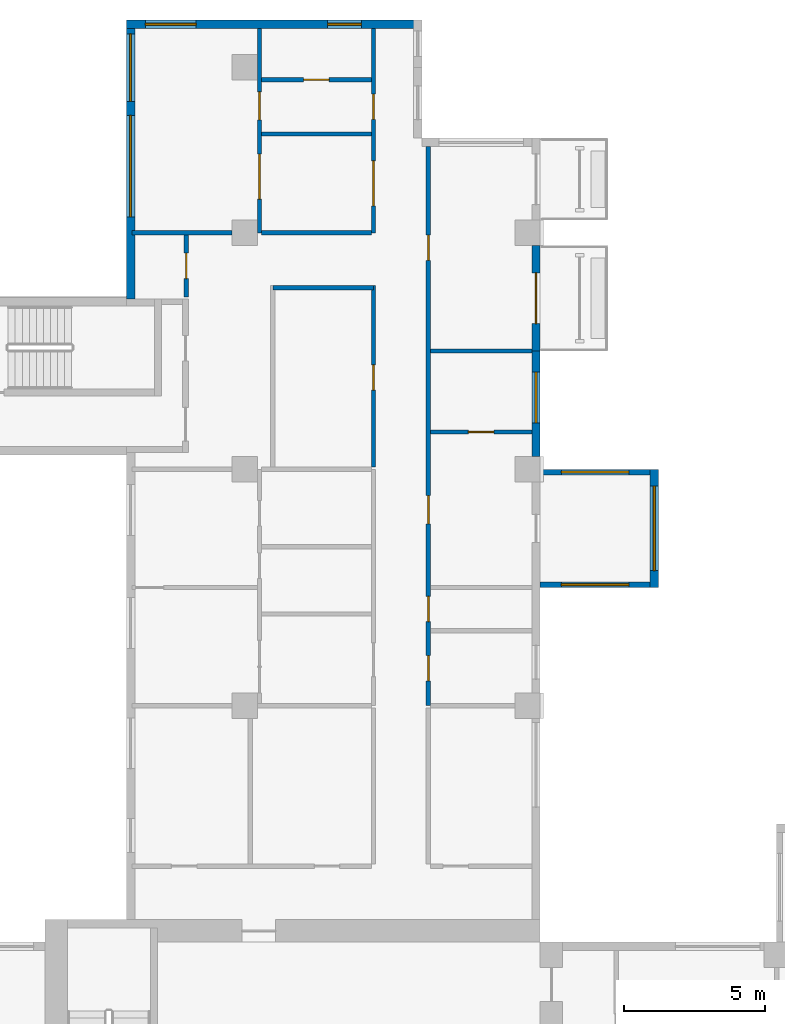
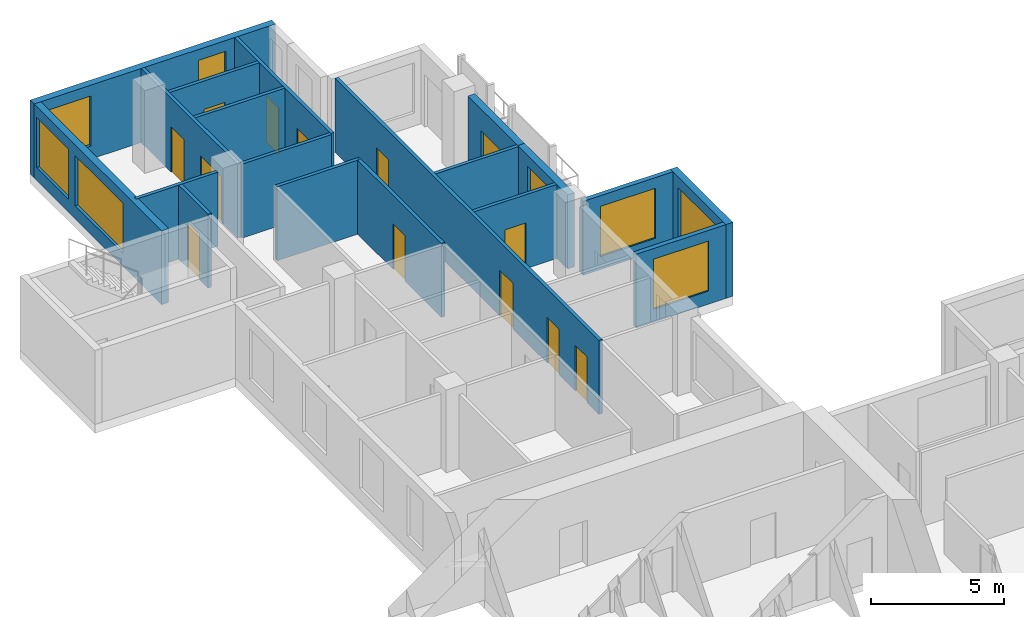
# One storey, part 9 of 15: 19 walls, 13 doors, 8 windows, 21 openings.
"""IFC4 building model written with IfcOpenShell, lengths in metres."""

from ifc_helpers import new_model, si_unit, direction, frame, frame_2d, origin, place, context, subcontext, project, spatial, rectangle, extrude, source, transform, mapped, material, layer, layer_set, type_object, element, fill, save


model = new_model("IFC4")

# Units and contexts
model_context = context("Model", 3, precision=1e-05, world=origin(), true_north=direction((0.0, 1.0)))
body_context = subcontext(model_context, "Body", "Model", "MODEL_VIEW")
ifc_project = project(units=[si_unit("LENGTHUNIT", "METRE"), si_unit("AREAUNIT", "SQUARE_METRE"), si_unit("VOLUMEUNIT", "CUBIC_METRE"), si_unit("PLANEANGLEUNIT", "RADIAN"), si_unit("MASSUNIT", "GRAM", prefix="KILO")], contexts=[model_context])

# Site, building, storey
site_placement = place(None, origin())
site = spatial("IfcSite", under=ifc_project, at=site_placement, CompositionType="ELEMENT")
building_placement = place(site_placement, origin())
building = spatial("IfcBuilding", under=site, at=building_placement, Name="Aurelian Terraces", CompositionType="ELEMENT")
storey_placement = place(building_placement, frame((0.0, 0.0, 177.8)))
storey = spatial("IfcBuildingStorey", under=building, at=storey_placement, Name="L38", CompositionType="ELEMENT", Elevation=177.8)

# Wall, opening, window
ifc_material_1 = material(Name="Terracotta rainscreen cladding", Category="masonry")
ifc_layer_1 = layer(ifc_material_1, 0.3)
ifc_layer_set_1 = layer_set([ifc_layer_1], Name="EW-300")
wall_type_1 = type_object("IfcWallType", Name="EW-300", PredefinedType="STANDARD", material=ifc_layer_set_1)
wall_1_placement = place(storey_placement, frame((20.85, 38.25, 0.0), z_axis=(0.0, 0.0, 1.0), x_axis=(0.0, 1.0, 0.0)))
wall_1 = element("IfcWall", 1, at=wall_1_placement, inside=storey, type_object=wall_type_1, Name="External wall L38 F08.20", PredefinedType="STANDARD", context=body_context, shape_type="SweptSolid", body=[
    extrude(rectangle(XDim=3.75, YDim=0.3, at=frame_2d((1.875, 0.0))), origin(), (0.0, 0.0, 1.0), 3.4),
])
shared_shape_1 = source(origin(), body_context, "Body", "SweptSolid", [
    extrude(rectangle(XDim=1.8, YDim=2.3, at=frame_2d((0.9, 1.15))), frame((0.0, 0.16, 0.0), z_axis=(0.0, -1.0, 0.0), x_axis=(1.0, 0.0, 0.0)), (0.0, 0.0, 1.0), 0.32),
])
opening_1_placement = place(wall_1_placement, frame((1.2, 0.0, 0.6)))
opening_1 = element("IfcOpeningElement", 2, at=opening_1_placement, cuts=wall_1, Name="Opening W1823", PredefinedType="OPENING", context=body_context, shape_type="MappedRepresentation", body=[
    mapped(shared_shape_1, transform((0.0, 0.0, 0.0), scale=1.0)),
])
ifc_material_2 = material(Name="Clear glazing", Category="glass")
window_type_1 = type_object("IfcWindowType", Name="W-1800x2300", PartitioningType="SINGLE_PANEL", PredefinedType="WINDOW", material=ifc_material_2)
shared_shape_2 = source(origin(), body_context, "Body", "SweptSolid", [
    extrude(rectangle(XDim=1.8, YDim=2.3, at=frame_2d((0.9, 1.15))), frame((0.0, 0.03, 0.0), z_axis=(0.0, -1.0, 0.0), x_axis=(1.0, 0.0, 0.0)), (0.0, 0.0, 1.0), 0.06),
])
window_1_placement = place(opening_1_placement, origin())
window_1 = element("IfcWindow", 3, at=window_1_placement, inside=storey, type_object=window_type_1, Name="Window L38 L38-F08-20-0", OverallHeight=2.3, OverallWidth=1.8, PartitioningType="SINGLE_PANEL", PredefinedType="WINDOW", context=body_context, shape_type="MappedRepresentation", body=[
    mapped(shared_shape_2, transform((0.0, 0.0, 0.0), scale=1.0)),
])
fill(opening_1, window_1)

# Wall, openings, windows
wall_2_placement = place(storey_placement, frame((16.8, 53.61, 0.0), z_axis=(0.0, 0.0, 1.0), x_axis=(-1.0, 0.0, 0.0)))
wall_2 = element("IfcWall", 4, at=wall_2_placement, inside=storey, type_object=wall_type_1, Name="External wall L38 F11.26", PredefinedType="STANDARD", context=body_context, shape_type="SweptSolid", body=[
    extrude(rectangle(XDim=10.5, YDim=0.3, at=frame_2d((5.25, 0.0))), origin(), (0.0, 0.0, 1.0), 3.4),
])
shared_shape_3 = source(origin(), body_context, "Body", "SweptSolid", [
    extrude(rectangle(XDim=1.2, YDim=2.3, at=frame_2d((0.6, 1.15))), frame((0.0, 0.16, 0.0), z_axis=(0.0, -1.0, 0.0), x_axis=(1.0, 0.0, 0.0)), (0.0, 0.0, 1.0), 0.32),
])
opening_2_placement = place(wall_2_placement, frame((2.15, 0.0, 0.6)))
opening_2 = element("IfcOpeningElement", 5, at=opening_2_placement, cuts=wall_2, Name="Opening W1223", PredefinedType="OPENING", context=body_context, shape_type="MappedRepresentation", body=[
    mapped(shared_shape_3, transform((0.0, 0.0, 0.0), scale=1.0)),
])
opening_3_placement = place(wall_2_placement, frame((8.025, 0.0, 0.6)))
opening_3 = element("IfcOpeningElement", 6, at=opening_3_placement, cuts=wall_2, Name="Opening W1823", PredefinedType="OPENING", context=body_context, shape_type="MappedRepresentation", body=[
    mapped(shared_shape_1, transform((0.0, 0.0, 0.0), scale=1.0)),
])
window_type_2 = type_object("IfcWindowType", Name="W-1200x2300", PartitioningType="SINGLE_PANEL", PredefinedType="WINDOW", material=ifc_material_2)
shared_shape_4 = source(origin(), body_context, "Body", "SweptSolid", [
    extrude(rectangle(XDim=1.2, YDim=2.3, at=frame_2d((0.6, 1.15))), frame((0.0, 0.03, 0.0), z_axis=(0.0, -1.0, 0.0), x_axis=(1.0, 0.0, 0.0)), (0.0, 0.0, 1.0), 0.06),
])
window_2_placement = place(opening_2_placement, origin())
window_2 = element("IfcWindow", 7, at=window_2_placement, inside=storey, type_object=window_type_2, Name="Window L38 L38-F11-26-0", OverallHeight=2.3, OverallWidth=1.2, PartitioningType="SINGLE_PANEL", PredefinedType="WINDOW", context=body_context, shape_type="MappedRepresentation", body=[
    mapped(shared_shape_4, transform((0.0, 0.0, 0.0), scale=1.0)),
])
fill(opening_2, window_2)
window_3_placement = place(opening_3_placement, origin())
window_3 = element("IfcWindow", 8, at=window_3_placement, inside=storey, type_object=window_type_1, Name="Window L38 L38-F11-26-2", OverallHeight=2.3, OverallWidth=1.8, PartitioningType="SINGLE_PANEL", PredefinedType="WINDOW", context=body_context, shape_type="MappedRepresentation", body=[
    mapped(shared_shape_2, transform((0.0, 0.0, 0.0), scale=1.0)),
])
fill(opening_3, window_3)

wall_3_placement = place(storey_placement, frame((6.45, 53.76, 0.0), z_axis=(0.0, 0.0, 1.0), x_axis=(0.0, -1.0, 0.0)))
wall_3 = element("IfcWall", 9, at=wall_3_placement, inside=storey, type_object=wall_type_1, Name="External wall L38 F12.27", PredefinedType="STANDARD", context=body_context, shape_type="SweptSolid", body=[
    extrude(rectangle(XDim=9.91, YDim=0.3, at=frame_2d((4.955, 0.0))), origin(), (0.0, 0.0, 1.0), 3.4),
])
shared_shape_5 = source(origin(), body_context, "Body", "SweptSolid", [
    extrude(rectangle(XDim=3.6, YDim=2.3, at=frame_2d((1.8, 1.15))), frame((0.0, 0.16, 0.0), z_axis=(0.0, -1.0, 0.0), x_axis=(1.0, 0.0, 0.0)), (0.0, 0.0, 1.0), 0.32),
])
opening_4_placement = place(wall_3_placement, frame((3.39, 0.0, 0.6)))
opening_4 = element("IfcOpeningElement", 10, at=opening_4_placement, cuts=wall_3, Name="Opening W3623", PredefinedType="OPENING", context=body_context, shape_type="MappedRepresentation", body=[
    mapped(shared_shape_5, transform((0.0, 0.0, 0.0), scale=1.0)),
])
shared_shape_6 = source(origin(), body_context, "Body", "SweptSolid", [
    extrude(rectangle(XDim=2.4, YDim=2.3, at=frame_2d((1.2, 1.15))), frame((0.0, 0.16, 0.0), z_axis=(0.0, -1.0, 0.0), x_axis=(1.0, 0.0, 0.0)), (0.0, 0.0, 1.0), 0.32),
])
opening_5_placement = place(wall_3_placement, frame((0.495, 0.0, 0.6)))
opening_5 = element("IfcOpeningElement", 11, at=opening_5_placement, cuts=wall_3, Name="Opening W2423", PredefinedType="OPENING", context=body_context, shape_type="MappedRepresentation", body=[
    mapped(shared_shape_6, transform((0.0, 0.0, 0.0), scale=1.0)),
])
window_type_3 = type_object("IfcWindowType", Name="W-3600x2300", PartitioningType="SINGLE_PANEL", PredefinedType="WINDOW", material=ifc_material_2)
shared_shape_7 = source(origin(), body_context, "Body", "SweptSolid", [
    extrude(rectangle(XDim=3.6, YDim=2.3, at=frame_2d((1.8, 1.15))), frame((0.0, 0.03, 0.0), z_axis=(0.0, -1.0, 0.0), x_axis=(1.0, 0.0, 0.0)), (0.0, 0.0, 1.0), 0.06),
])
window_4_placement = place(opening_4_placement, origin())
window_4 = element("IfcWindow", 12, at=window_4_placement, inside=storey, type_object=window_type_3, Name="Window L38 L38-F12-27-1", OverallHeight=2.3, OverallWidth=3.6, PartitioningType="SINGLE_PANEL", PredefinedType="WINDOW", context=body_context, shape_type="MappedRepresentation", body=[
    mapped(shared_shape_7, transform((0.0, 0.0, 0.0), scale=1.0)),
])
fill(opening_4, window_4)
window_type_4 = type_object("IfcWindowType", Name="W-2400x2300", PartitioningType="SINGLE_PANEL", PredefinedType="WINDOW", material=ifc_material_2)
shared_shape_8 = source(origin(), body_context, "Body", "SweptSolid", [
    extrude(rectangle(XDim=2.4, YDim=2.3, at=frame_2d((1.2, 1.15))), frame((0.0, 0.03, 0.0), z_axis=(0.0, -1.0, 0.0), x_axis=(1.0, 0.0, 0.0)), (0.0, 0.0, 1.0), 0.06),
])
window_5_placement = place(opening_5_placement, origin())
window_5 = element("IfcWindow", 13, at=window_5_placement, inside=storey, type_object=window_type_4, Name="Window L38 L38-F12-27-G0-0", OverallHeight=2.3, OverallWidth=2.4, PartitioningType="SINGLE_PANEL", PredefinedType="WINDOW", context=body_context, shape_type="MappedRepresentation", body=[
    mapped(shared_shape_8, transform((0.0, 0.0, 0.0), scale=1.0)),
])
fill(opening_5, window_5)

# Wall, openings, doors
ifc_material_3 = material(Name="Gypsum board on steel studs", Category="steel")
ifc_layer_2 = layer(ifc_material_3, 0.15)
ifc_layer_set_2 = layer_set([ifc_layer_2], Name="Fire partition 150")
wall_type_2 = type_object("IfcWallType", Name="Fire partition 150", PredefinedType="PARTITIONING", material=ifc_layer_set_2)
wall_4_placement = place(storey_placement, frame((17.025, 49.26, 0.0), z_axis=(0.0, 0.0, 1.0), x_axis=(0.0, -1.0, 0.0)))
wall_4 = element("IfcWall", 14, at=wall_4_placement, inside=storey, type_object=wall_type_2, Name="Corridor wall", PredefinedType="PARTITIONING", context=body_context, shape_type="SweptSolid", body=[
    extrude(rectangle(XDim=19.86, YDim=0.15, at=frame_2d((9.93, 0.0))), origin(), (0.0, 0.0, 1.0), 3.4),
])
shared_shape_9 = source(origin(), body_context, "Body", "SweptSolid", [
    extrude(rectangle(XDim=0.9, YDim=2.1, at=frame_2d((0.45, 1.05))), frame((0.0, 0.085, 0.0), z_axis=(0.0, -1.0, 0.0), x_axis=(1.0, 0.0, 0.0)), (0.0, 0.0, 1.0), 0.17),
])
opening_6_placement = place(wall_4_placement, frame((18.0765, 0.0, 0.0)))
opening_6 = element("IfcOpeningElement", 15, at=opening_6_placement, cuts=wall_4, Name="Opening 738037", PredefinedType="OPENING", context=body_context, shape_type="MappedRepresentation", body=[
    mapped(shared_shape_9, transform((0.0, 0.0, 0.0), scale=1.0)),
])
opening_7_placement = place(wall_4_placement, frame((15.9765, 0.0, 0.0)))
opening_7 = element("IfcOpeningElement", 16, at=opening_7_placement, cuts=wall_4, Name="Opening 738038", PredefinedType="OPENING", context=body_context, shape_type="MappedRepresentation", body=[
    mapped(shared_shape_9, transform((0.0, 0.0, 0.0), scale=1.0)),
])
shared_shape_10 = source(origin(), body_context, "Body", "SweptSolid", [
    extrude(rectangle(XDim=1.0, YDim=2.1, at=frame_2d((0.5, 1.05))), frame((0.0, 0.085, 0.0), z_axis=(0.0, -1.0, 0.0), x_axis=(1.0, 0.0, 0.0)), (0.0, 0.0, 1.0), 0.17),
])
opening_8_placement = place(wall_4_placement, frame((12.3975, 0.0, 0.0)))
opening_8 = element("IfcOpeningElement", 17, at=opening_8_placement, cuts=wall_4, Name="Opening 738039", PredefinedType="OPENING", context=body_context, shape_type="MappedRepresentation", body=[
    mapped(shared_shape_10, transform((0.0, 0.0, 0.0), scale=1.0)),
])
opening_9_placement = place(wall_4_placement, frame((3.1425, 0.0, 0.0)))
opening_9 = element("IfcOpeningElement", 18, at=opening_9_placement, cuts=wall_4, Name="Opening 738041", PredefinedType="OPENING", context=body_context, shape_type="MappedRepresentation", body=[
    mapped(shared_shape_9, transform((0.0, 0.0, 0.0), scale=1.0)),
])
ifc_material_4 = material(Name="Steel door leaf", Category="steel")
door_type_1 = type_object("IfcDoorType", Name="Entrance fire door 1000x2100 left", OperationType="SINGLE_SWING_LEFT", PredefinedType="DOOR", material=ifc_material_4)
shared_shape_11 = source(origin(), body_context, "Body", "SweptSolid", [
    extrude(rectangle(XDim=1.0, YDim=2.1, at=frame_2d((0.5, 1.05))), frame((0.0, 0.025, 0.0), z_axis=(0.0, -1.0, 0.0), x_axis=(1.0, 0.0, 0.0)), (0.0, 0.0, 1.0), 0.05),
])
door_1_placement = place(opening_8_placement, origin())
door_1 = element("IfcDoor", 19, at=door_1_placement, inside=storey, type_object=door_type_1, Name="Door 738039", OperationType="SINGLE_SWING_LEFT", OverallHeight=2.1, OverallWidth=1.0, PredefinedType="DOOR", context=body_context, shape_type="MappedRepresentation", body=[
    mapped(shared_shape_11, transform((0.0, 0.0, 0.0), scale=1.0)),
])
fill(opening_8, door_1)
door_type_2 = type_object("IfcDoorType", Name="Entrance fire door 900x2100 left", OperationType="SINGLE_SWING_LEFT", PredefinedType="DOOR", material=ifc_material_4)
shared_shape_12 = source(origin(), body_context, "Body", "SweptSolid", [
    extrude(rectangle(XDim=0.9, YDim=2.1, at=frame_2d((0.45, 1.05))), frame((0.0, 0.025, 0.0), z_axis=(0.0, -1.0, 0.0), x_axis=(1.0, 0.0, 0.0)), (0.0, 0.0, 1.0), 0.05),
])
door_2_placement = place(opening_6_placement, origin())
door_2 = element("IfcDoor", 20, at=door_2_placement, inside=storey, type_object=door_type_2, Name="Door 738037", OperationType="SINGLE_SWING_LEFT", OverallHeight=2.1, OverallWidth=0.9, PredefinedType="DOOR", context=body_context, shape_type="MappedRepresentation", body=[
    mapped(shared_shape_12, transform((0.0, 0.0, 0.0), scale=1.0)),
])
fill(opening_6, door_2)
door_type_3 = type_object("IfcDoorType", Name="Entrance fire door 900x2100 right", OperationType="SINGLE_SWING_RIGHT", PredefinedType="DOOR", material=ifc_material_4)
door_3_placement = place(opening_7_placement, origin())
door_3 = element("IfcDoor", 21, at=door_3_placement, inside=storey, type_object=door_type_3, Name="Door 738038", OperationType="SINGLE_SWING_RIGHT", OverallHeight=2.1, OverallWidth=0.9, PredefinedType="DOOR", context=body_context, shape_type="MappedRepresentation", body=[
    mapped(shared_shape_12, transform((0.0, 0.0, 0.0), scale=1.0)),
])
fill(opening_7, door_3)
door_4_placement = place(opening_9_placement, origin())
door_4 = element("IfcDoor", 22, at=door_4_placement, inside=storey, type_object=door_type_2, Name="Door 738041", OperationType="SINGLE_SWING_LEFT", OverallHeight=2.1, OverallWidth=0.9, PredefinedType="DOOR", context=body_context, shape_type="MappedRepresentation", body=[
    mapped(shared_shape_12, transform((0.0, 0.0, 0.0), scale=1.0)),
])
fill(opening_9, door_4)

# Wall
ifc_layer_3 = layer(ifc_material_3, 0.15)
ifc_layer_set_3 = layer_set([ifc_layer_3], Name="Partition 150")
wall_type_3 = type_object("IfcWallType", Name="Partition 150", PredefinedType="PARTITIONING", material=ifc_layer_set_3)
wall_5_placement = place(storey_placement, frame((15.075, 44.25, 0.0), z_axis=(0.0, 0.0, 1.0), x_axis=(-1.0, 0.0, 0.0)))
element("IfcWall", 23, at=wall_5_placement, inside=storey, type_object=wall_type_3, Name="Partition", PredefinedType="PARTITIONING", context=body_context, shape_type="SweptSolid", body=[
    extrude(rectangle(XDim=3.575, YDim=0.15, at=frame_2d((1.7875, 0.0))), origin(), (0.0, 0.0, 1.0), 3.4),
])

# Wall, openings, doors
wall_6_placement = place(storey_placement, frame((11.025, 46.2, 0.0), z_axis=(0.0, 0.0, 1.0), x_axis=(0.0, 1.0, 0.0)))
wall_6 = element("IfcWall", 24, at=wall_6_placement, inside=storey, type_object=wall_type_3, Name="Partition", PredefinedType="PARTITIONING", context=body_context, shape_type="SweptSolid", body=[
    extrude(rectangle(XDim=7.26, YDim=0.15, at=frame_2d((3.63, 0.0))), origin(), (0.0, 0.0, 1.0), 3.4),
])
shared_shape_13 = source(origin(), body_context, "Body", "SweptSolid", [
    extrude(rectangle(XDim=1.6, YDim=2.1, at=frame_2d((0.8, 1.05))), frame((0.0, 0.085, 0.0), z_axis=(0.0, -1.0, 0.0), x_axis=(1.0, 0.0, 0.0)), (0.0, 0.0, 1.0), 0.17),
])
opening_10_placement = place(wall_6_placement, frame((1.1939, 0.0, 0.0)))
opening_10 = element("IfcOpeningElement", 25, at=opening_10_placement, cuts=wall_6, Name="Opening 738034", PredefinedType="OPENING", context=body_context, shape_type="MappedRepresentation", body=[
    mapped(shared_shape_13, transform((0.0, 0.0, 0.0), scale=1.0)),
])
opening_11_placement = place(wall_6_placement, frame((4.0089, 0.0, 0.0)))
opening_11 = element("IfcOpeningElement", 26, at=opening_11_placement, cuts=wall_6, Name="Opening 738035", PredefinedType="OPENING", context=body_context, shape_type="MappedRepresentation", body=[
    mapped(shared_shape_10, transform((0.0, 0.0, 0.0), scale=1.0)),
])
ifc_material_5 = material(Name="Timber door leaf", Category="wood")
door_type_4 = type_object("IfcDoorType", Name="Room door 1000x2100 left", OperationType="SINGLE_SWING_LEFT", PredefinedType="DOOR", material=ifc_material_5)
door_5_placement = place(opening_11_placement, origin())
door_5 = element("IfcDoor", 27, at=door_5_placement, inside=storey, type_object=door_type_4, Name="Door 738035", OperationType="SINGLE_SWING_LEFT", OverallHeight=2.1, OverallWidth=1.0, PredefinedType="DOOR", context=body_context, shape_type="MappedRepresentation", body=[
    mapped(shared_shape_11, transform((0.0, 0.0, 0.0), scale=1.0)),
])
fill(opening_11, door_5)
door_type_5 = type_object("IfcDoorType", Name="Room door 1600x2100 right", OperationType="SINGLE_SWING_RIGHT", PredefinedType="DOOR", material=ifc_material_5)
shared_shape_14 = source(origin(), body_context, "Body", "SweptSolid", [
    extrude(rectangle(XDim=1.6, YDim=2.1, at=frame_2d((0.8, 1.05))), frame((0.0, 0.025, 0.0), z_axis=(0.0, -1.0, 0.0), x_axis=(1.0, 0.0, 0.0)), (0.0, 0.0, 1.0), 0.05),
])
door_6_placement = place(opening_10_placement, origin())
door_6 = element("IfcDoor", 28, at=door_6_placement, inside=storey, type_object=door_type_5, Name="Door 738034", OperationType="SINGLE_SWING_RIGHT", OverallHeight=2.1, OverallWidth=1.6, PredefinedType="DOOR", context=body_context, shape_type="MappedRepresentation", body=[
    mapped(shared_shape_14, transform((0.0, 0.0, 0.0), scale=1.0)),
])
fill(opening_10, door_6)

# Wall, opening, door
shared_shape_15 = source(origin(), body_context, "Body", "SweptSolid", [
    extrude(rectangle(XDim=3.75, YDim=0.3, at=frame_2d((1.875, 0.0))), origin(), (0.0, 0.0, 1.0), 3.4),
])
wall_7_placement = place(storey_placement, frame((20.85, 42.0, 0.0), z_axis=(0.0, 0.0, 1.0), x_axis=(0.0, 1.0, 0.0)))
wall_7 = element("IfcWall", 29, at=wall_7_placement, inside=storey, type_object=wall_type_1, Name="External wall L38 F08.21", PredefinedType="STANDARD", context=body_context, shape_type="MappedRepresentation", body=[
    mapped(shared_shape_15, transform((0.0, 0.0, 0.0), scale=1.0)),
])
shared_shape_16 = source(origin(), body_context, "Body", "SweptSolid", [
    extrude(rectangle(XDim=1.8, YDim=2.4, at=frame_2d((0.9, 1.2))), frame((0.0, 0.16, 0.0), z_axis=(0.0, -1.0, 0.0), x_axis=(1.0, 0.0, 0.0)), (0.0, 0.0, 1.0), 0.32),
])
opening_12_placement = place(wall_7_placement, frame((0.975, 0.0, 0.0)))
opening_12 = element("IfcOpeningElement", 30, at=opening_12_placement, cuts=wall_7, Name="Opening 83810", PredefinedType="OPENING", context=body_context, shape_type="MappedRepresentation", body=[
    mapped(shared_shape_16, transform((0.0, 0.0, 0.0), scale=1.0)),
])
door_type_6 = type_object("IfcDoorType", Name="BD-1800x2400", OperationType="SLIDING_TO_LEFT", PredefinedType="DOOR", material=ifc_material_2)
shared_shape_17 = source(origin(), body_context, "Body", "SweptSolid", [
    extrude(rectangle(XDim=1.8, YDim=2.4, at=frame_2d((0.9, 1.2))), frame((0.0, 0.025, 0.0), z_axis=(0.0, -1.0, 0.0), x_axis=(1.0, 0.0, 0.0)), (0.0, 0.0, 1.0), 0.05),
])
door_7_placement = place(opening_12_placement, origin())
door_7 = element("IfcDoor", 31, at=door_7_placement, inside=storey, type_object=door_type_6, Name="Balcony door L38 F08.21", OperationType="SLIDING_TO_LEFT", OverallHeight=2.4, OverallWidth=1.8, PredefinedType="DOOR", context=body_context, shape_type="MappedRepresentation", body=[
    mapped(shared_shape_17, transform((0.0, 0.0, 0.0), scale=1.0)),
])
fill(opening_12, door_7)

# Wall, opening, window
ifc_material_6 = material(Name="Concrete fc' 40 MPa", Category="concrete")
ifc_layer_4 = layer(ifc_material_6, 0.2)
ifc_layer_set_4 = layer_set([ifc_layer_4], Name="BOX BEARING WALL 200")
wall_type_4 = type_object("IfcWallType", Name="BOX BEARING WALL 200", PredefinedType="SOLIDWALL", material=ifc_layer_set_4)
shared_shape_18 = source(origin(), body_context, "Body", "SweptSolid", [
    extrude(rectangle(XDim=3.9, YDim=0.2, at=frame_2d((1.95, 0.0))), origin(), (0.0, 0.0, 1.0), 3.39),
])
wall_8_placement = place(storey_placement, frame((21.0, 33.7, 0.0), z_axis=(0.0, 0.0, 1.0), x_axis=(1.0, 0.0, 0.0)))
wall_8 = element("IfcWall", 32, at=wall_8_placement, inside=storey, type_object=wall_type_4, Name="Box return L38 J53.1", PredefinedType="SOLIDWALL", context=body_context, shape_type="MappedRepresentation", body=[
    mapped(shared_shape_18, transform((0.0, 0.0, 0.0), scale=1.0)),
])
shared_shape_19 = source(origin(), body_context, "Body", "SweptSolid", [
    extrude(rectangle(XDim=2.4, YDim=2.3, at=frame_2d((1.2, 1.15))), frame((0.0, 0.11, 0.0), z_axis=(0.0, -1.0, 0.0), x_axis=(1.0, 0.0, 0.0)), (0.0, 0.0, 1.0), 0.22),
])
opening_13_placement = place(wall_8_placement, frame((0.75, 0.0, 0.6)))
opening_13 = element("IfcOpeningElement", 33, at=opening_13_placement, cuts=wall_8, Name="Opening W2423", PredefinedType="OPENING", context=body_context, shape_type="MappedRepresentation", body=[
    mapped(shared_shape_19, transform((0.0, 0.0, 0.0), scale=1.0)),
])
window_6_placement = place(opening_13_placement, origin())
window_6 = element("IfcWindow", 34, at=window_6_placement, inside=storey, type_object=window_type_4, Name="Window L38 J53-S1", OverallHeight=2.3, OverallWidth=2.4, PartitioningType="SINGLE_PANEL", PredefinedType="WINDOW", context=body_context, shape_type="MappedRepresentation", body=[
    mapped(shared_shape_8, transform((0.0, 0.0, 0.0), scale=1.0)),
])
fill(opening_13, window_6)

wall_9_placement = place(storey_placement, frame((21.0, 37.7, 0.0), z_axis=(0.0, 0.0, 1.0), x_axis=(1.0, 0.0, 0.0)))
wall_9 = element("IfcWall", 35, at=wall_9_placement, inside=storey, type_object=wall_type_4, Name="Box return L38 J53.2", PredefinedType="SOLIDWALL", context=body_context, shape_type="MappedRepresentation", body=[
    mapped(shared_shape_18, transform((0.0, 0.0, 0.0), scale=1.0)),
])
opening_14_placement = place(wall_9_placement, frame((0.75, 0.0, 0.6)))
opening_14 = element("IfcOpeningElement", 36, at=opening_14_placement, cuts=wall_9, Name="Opening W2423", PredefinedType="OPENING", context=body_context, shape_type="MappedRepresentation", body=[
    mapped(shared_shape_19, transform((0.0, 0.0, 0.0), scale=1.0)),
])
window_7_placement = place(opening_14_placement, origin())
window_7 = element("IfcWindow", 37, at=window_7_placement, inside=storey, type_object=window_type_4, Name="Window L38 J53-S2", OverallHeight=2.3, OverallWidth=2.4, PartitioningType="SINGLE_PANEL", PredefinedType="WINDOW", context=body_context, shape_type="MappedRepresentation", body=[
    mapped(shared_shape_8, transform((0.0, 0.0, 0.0), scale=1.0)),
])
fill(opening_14, window_7)

ifc_layer_5 = layer(ifc_material_6, 0.3)
ifc_layer_set_5 = layer_set([ifc_layer_5], Name="BOX BEARING WALL 300")
wall_type_5 = type_object("IfcWallType", Name="BOX BEARING WALL 300", PredefinedType="SOLIDWALL", material=ifc_layer_set_5)
shared_shape_20 = source(origin(), body_context, "Body", "SweptSolid", [
    extrude(rectangle(XDim=4.2, YDim=0.3, at=frame_2d((2.1, 0.0))), origin(), (0.0, 0.0, 1.0), 3.39),
])
wall_10_placement = place(storey_placement, frame((25.05, 33.6, 0.0), z_axis=(0.0, 0.0, 1.0), x_axis=(0.0, 1.0, 0.0)))
wall_10 = element("IfcWall", 38, at=wall_10_placement, inside=storey, type_object=wall_type_5, Name="Box wall L38 J53", PredefinedType="SOLIDWALL", context=body_context, shape_type="MappedRepresentation", body=[
    mapped(shared_shape_20, transform((0.0, 0.0, 0.0), scale=1.0)),
])
shared_shape_21 = source(origin(), body_context, "Body", "SweptSolid", [
    extrude(rectangle(XDim=3.0, YDim=2.3, at=frame_2d((1.5, 1.15))), frame((0.0, 0.16, 0.0), z_axis=(0.0, -1.0, 0.0), x_axis=(1.0, 0.0, 0.0)), (0.0, 0.0, 1.0), 0.32),
])
opening_15_placement = place(wall_10_placement, frame((0.6, 0.0, 0.6)))
opening_15 = element("IfcOpeningElement", 39, at=opening_15_placement, cuts=wall_10, Name="Opening W3023", PredefinedType="OPENING", context=body_context, shape_type="MappedRepresentation", body=[
    mapped(shared_shape_21, transform((0.0, 0.0, 0.0), scale=1.0)),
])
window_type_5 = type_object("IfcWindowType", Name="W-3000x2300", PartitioningType="SINGLE_PANEL", PredefinedType="WINDOW", material=ifc_material_2)
shared_shape_22 = source(origin(), body_context, "Body", "SweptSolid", [
    extrude(rectangle(XDim=3.0, YDim=2.3, at=frame_2d((1.5, 1.15))), frame((0.0, 0.03, 0.0), z_axis=(0.0, -1.0, 0.0), x_axis=(1.0, 0.0, 0.0)), (0.0, 0.0, 1.0), 0.06),
])
window_8_placement = place(opening_15_placement, origin())
window_8 = element("IfcWindow", 40, at=window_8_placement, inside=storey, type_object=window_type_5, Name="Window L38 J53-F1", OverallHeight=2.3, OverallWidth=3.0, PartitioningType="SINGLE_PANEL", PredefinedType="WINDOW", context=body_context, shape_type="MappedRepresentation", body=[
    mapped(shared_shape_22, transform((0.0, 0.0, 0.0), scale=1.0)),
])
fill(opening_15, window_8)

# Wall, opening, door
shared_shape_23 = source(origin(), body_context, "Body", "SweptSolid", [
    extrude(rectangle(XDim=6.45, YDim=0.15, at=frame_2d((3.225, 0.0))), origin(), (0.0, 0.0, 1.0), 3.4),
])
wall_11_placement = place(storey_placement, frame((15.075, 37.875, 0.0), z_axis=(0.0, 0.0, 1.0), x_axis=(0.0, 1.0, 0.0)))
wall_11 = element("IfcWall", 41, at=wall_11_placement, inside=storey, type_object=wall_type_2, Name="Corridor wall", PredefinedType="PARTITIONING", context=body_context, shape_type="MappedRepresentation", body=[
    mapped(shared_shape_23, transform((0.0, 0.0, 0.0), scale=1.0)),
])
opening_16_placement = place(wall_11_placement, frame((2.7375, 0.0, 0.0)))
opening_16 = element("IfcOpeningElement", 42, at=opening_16_placement, cuts=wall_11, Name="Opening 738025", PredefinedType="OPENING", context=body_context, shape_type="MappedRepresentation", body=[
    mapped(shared_shape_9, transform((0.0, 0.0, 0.0), scale=1.0)),
])
door_type_7 = type_object("IfcDoorType", Name="Room door 900x2100 right", OperationType="SINGLE_SWING_RIGHT", PredefinedType="DOOR", material=ifc_material_5)
door_8_placement = place(opening_16_placement, origin())
door_8 = element("IfcDoor", 43, at=door_8_placement, inside=storey, type_object=door_type_7, Name="Door 738025", OperationType="SINGLE_SWING_RIGHT", OverallHeight=2.1, OverallWidth=0.9, PredefinedType="DOOR", context=body_context, shape_type="MappedRepresentation", body=[
    mapped(shared_shape_12, transform((0.0, 0.0, 0.0), scale=1.0)),
])
fill(opening_16, door_8)

# Wall
shared_shape_24 = source(origin(), body_context, "Body", "SweptSolid", [
    extrude(rectangle(XDim=3.9, YDim=0.15, at=frame_2d((1.95, 0.0))), origin(), (0.0, 0.0, 1.0), 3.4),
])
wall_12_placement = place(storey_placement, frame((15.0, 49.7128, 0.0), z_axis=(0.0, 0.0, 1.0), x_axis=(-1.0, 0.0, 0.0)))
element("IfcWall", 44, at=wall_12_placement, inside=storey, type_object=wall_type_3, Name="Partition", PredefinedType="PARTITIONING", context=body_context, shape_type="MappedRepresentation", body=[
    mapped(shared_shape_24, transform((0.0, 0.0, 0.0), scale=1.0)),
])

# Wall, opening, door
wall_13_placement = place(storey_placement, frame((15.0, 51.638, 0.0), z_axis=(0.0, 0.0, 1.0), x_axis=(-1.0, 0.0, 0.0)))
wall_13 = element("IfcWall", 45, at=wall_13_placement, inside=storey, type_object=wall_type_3, Name="Partition", PredefinedType="PARTITIONING", context=body_context, shape_type="MappedRepresentation", body=[
    mapped(shared_shape_24, transform((0.0, 0.0, 0.0), scale=1.0)),
])
opening_17_placement = place(wall_13_placement, frame((1.5, 0.0, 0.0)))
opening_17 = element("IfcOpeningElement", 46, at=opening_17_placement, cuts=wall_13, Name="Opening 738045", PredefinedType="OPENING", context=body_context, shape_type="MappedRepresentation", body=[
    mapped(shared_shape_9, transform((0.0, 0.0, 0.0), scale=1.0)),
])
door_type_8 = type_object("IfcDoorType", Name="Room door 900x2100 left", OperationType="SINGLE_SWING_LEFT", PredefinedType="DOOR", material=ifc_material_5)
door_9_placement = place(opening_17_placement, origin())
door_9 = element("IfcDoor", 47, at=door_9_placement, inside=storey, type_object=door_type_8, Name="Door 738045", OperationType="SINGLE_SWING_LEFT", OverallHeight=2.1, OverallWidth=0.9, PredefinedType="DOOR", context=body_context, shape_type="MappedRepresentation", body=[
    mapped(shared_shape_12, transform((0.0, 0.0, 0.0), scale=1.0)),
])
fill(opening_17, door_9)

# Wall
wall_14_placement = place(storey_placement, frame((15.0, 46.2, 0.0), z_axis=(0.0, 0.0, 1.0), x_axis=(-1.0, 0.0, 0.0)))
element("IfcWall", 48, at=wall_14_placement, inside=storey, type_object=wall_type_2, Name="Party wall", PredefinedType="PARTITIONING", context=body_context, shape_type="MappedRepresentation", body=[
    mapped(shared_shape_24, transform((0.0, 0.0, 0.0), scale=1.0)),
])

# Wall, opening, door
shared_shape_25 = source(origin(), body_context, "Body", "SweptSolid", [
    extrude(rectangle(XDim=3.6, YDim=0.15, at=frame_2d((1.8, 0.0))), origin(), (0.0, 0.0, 1.0), 3.4),
])
wall_15_placement = place(storey_placement, frame((17.1, 39.125, 0.0), z_axis=(0.0, 0.0, 1.0), x_axis=(1.0, 0.0, 0.0)))
wall_15 = element("IfcWall", 49, at=wall_15_placement, inside=storey, type_object=wall_type_3, Name="Partition", PredefinedType="PARTITIONING", context=body_context, shape_type="MappedRepresentation", body=[
    mapped(shared_shape_25, transform((0.0, 0.0, 0.0), scale=1.0)),
])
opening_18_placement = place(wall_15_placement, frame((1.35, 0.0, 0.0)))
opening_18 = element("IfcOpeningElement", 50, at=opening_18_placement, cuts=wall_15, Name="Opening 738040", PredefinedType="OPENING", context=body_context, shape_type="MappedRepresentation", body=[
    mapped(shared_shape_9, transform((0.0, 0.0, 0.0), scale=1.0)),
])
door_10_placement = place(opening_18_placement, origin())
door_10 = element("IfcDoor", 51, at=door_10_placement, inside=storey, type_object=door_type_7, Name="Door 738040", OperationType="SINGLE_SWING_RIGHT", OverallHeight=2.1, OverallWidth=0.9, PredefinedType="DOOR", context=body_context, shape_type="MappedRepresentation", body=[
    mapped(shared_shape_12, transform((0.0, 0.0, 0.0), scale=1.0)),
])
fill(opening_18, door_10)

# Wall
wall_16_placement = place(storey_placement, frame((20.7, 42.0, 0.0), z_axis=(0.0, 0.0, 1.0), x_axis=(-1.0, 0.0, 0.0)))
element("IfcWall", 52, at=wall_16_placement, inside=storey, type_object=wall_type_2, Name="Party wall", PredefinedType="PARTITIONING", context=body_context, shape_type="MappedRepresentation", body=[
    mapped(shared_shape_25, transform((0.0, 0.0, 0.0), scale=1.0)),
])

# Wall, opening, door
shared_shape_26 = source(origin(), body_context, "Body", "SweptSolid", [
    extrude(rectangle(XDim=2.2, YDim=0.15, at=frame_2d((1.1, 0.0))), origin(), (0.0, 0.0, 1.0), 3.4),
])
wall_17_placement = place(storey_placement, frame((8.425, 43.925, 0.0), z_axis=(0.0, 0.0, 1.0), x_axis=(0.0, 1.0, 0.0)))
wall_17 = element("IfcWall", 53, at=wall_17_placement, inside=storey, type_object=wall_type_3, Name="Partition", PredefinedType="PARTITIONING", context=body_context, shape_type="MappedRepresentation", body=[
    mapped(shared_shape_26, transform((0.0, 0.0, 0.0), scale=1.0)),
])
opening_19_placement = place(wall_17_placement, frame((0.65, 0.0, 0.0)))
opening_19 = element("IfcOpeningElement", 54, at=opening_19_placement, cuts=wall_17, Name="Opening 738026", PredefinedType="OPENING", context=body_context, shape_type="MappedRepresentation", body=[
    mapped(shared_shape_9, transform((0.0, 0.0, 0.0), scale=1.0)),
])
door_11_placement = place(opening_19_placement, origin())
door_11 = element("IfcDoor", 55, at=door_11_placement, inside=storey, type_object=door_type_7, Name="Door 738026", OperationType="SINGLE_SWING_RIGHT", OverallHeight=2.1, OverallWidth=0.9, PredefinedType="DOOR", context=body_context, shape_type="MappedRepresentation", body=[
    mapped(shared_shape_12, transform((0.0, 0.0, 0.0), scale=1.0)),
])
fill(opening_19, door_11)

# Wall
shared_shape_27 = source(origin(), body_context, "Body", "SweptSolid", [
    extrude(rectangle(XDim=3.546, YDim=0.15, at=frame_2d((1.773, 0.0))), origin(), (0.0, 0.0, 1.0), 3.4),
])
wall_18_placement = place(storey_placement, frame((10.051, 46.2, 0.0), z_axis=(0.0, 0.0, 1.0), x_axis=(-1.0, 0.0, 0.0)))
element("IfcWall", 56, at=wall_18_placement, inside=storey, type_object=wall_type_2, Name="Party wall", PredefinedType="PARTITIONING", context=body_context, shape_type="MappedRepresentation", body=[
    mapped(shared_shape_27, transform((0.0, 0.0, 0.0), scale=1.0)),
])

# Wall, openings, doors
shared_shape_28 = source(origin(), body_context, "Body", "SweptSolid", [
    extrude(rectangle(XDim=7.26, YDim=0.15, at=frame_2d((3.63, 0.0))), origin(), (0.0, 0.0, 1.0), 3.4),
])
wall_19_placement = place(storey_placement, frame((15.075, 46.2, 0.0), z_axis=(0.0, 0.0, 1.0), x_axis=(0.0, 1.0, 0.0)))
wall_19 = element("IfcWall", 57, at=wall_19_placement, inside=storey, type_object=wall_type_2, Name="Corridor wall", PredefinedType="PARTITIONING", context=body_context, shape_type="MappedRepresentation", body=[
    mapped(shared_shape_28, transform((0.0, 0.0, 0.0), scale=1.0)),
])
opening_20_placement = place(wall_19_placement, frame((0.9564, 0.0, 0.0)))
opening_20 = element("IfcOpeningElement", 58, at=opening_20_placement, cuts=wall_19, Name="Opening 738033", PredefinedType="OPENING", context=body_context, shape_type="SweptSolid", body=[
    extrude(rectangle(XDim=1.6, YDim=2.1, at=frame_2d((0.8, 1.05))), frame((0.0, 0.085, 0.0), z_axis=(0.0, -1.0, 0.0), x_axis=(1.0, 0.0, 0.0)), (0.0, 0.0, 1.0), 0.17),
])
opening_21_placement = place(wall_19_placement, frame((4.0254, 0.0, 0.0)))
opening_21 = element("IfcOpeningElement", 59, at=opening_21_placement, cuts=wall_19, Name="Opening 738036", PredefinedType="OPENING", context=body_context, shape_type="MappedRepresentation", body=[
    mapped(shared_shape_9, transform((0.0, 0.0, 0.0), scale=1.0)),
])
door_type_9 = type_object("IfcDoorType", Name="Entrance fire door 1600x2100 left", OperationType="SINGLE_SWING_LEFT", PredefinedType="DOOR", material=ifc_material_4)
door_12_placement = place(opening_20_placement, origin())
door_12 = element("IfcDoor", 60, at=door_12_placement, inside=storey, type_object=door_type_9, Name="Door 738033", OperationType="SINGLE_SWING_LEFT", OverallHeight=2.1, OverallWidth=1.6, PredefinedType="DOOR", context=body_context, shape_type="SweptSolid", body=[
    extrude(rectangle(XDim=1.6, YDim=2.1, at=frame_2d((0.8, 1.05))), frame((0.0, 0.025, 0.0), z_axis=(0.0, -1.0, 0.0), x_axis=(1.0, 0.0, 0.0)), (0.0, 0.0, 1.0), 0.05),
])
fill(opening_20, door_12)
door_13_placement = place(opening_21_placement, origin())
door_13 = element("IfcDoor", 61, at=door_13_placement, inside=storey, type_object=door_type_2, Name="Door 738036", OperationType="SINGLE_SWING_LEFT", OverallHeight=2.1, OverallWidth=0.9, PredefinedType="DOOR", context=body_context, shape_type="MappedRepresentation", body=[
    mapped(shared_shape_12, transform((0.0, 0.0, 0.0), scale=1.0)),
])
fill(opening_21, door_13)

save(model, "model.ifc")
